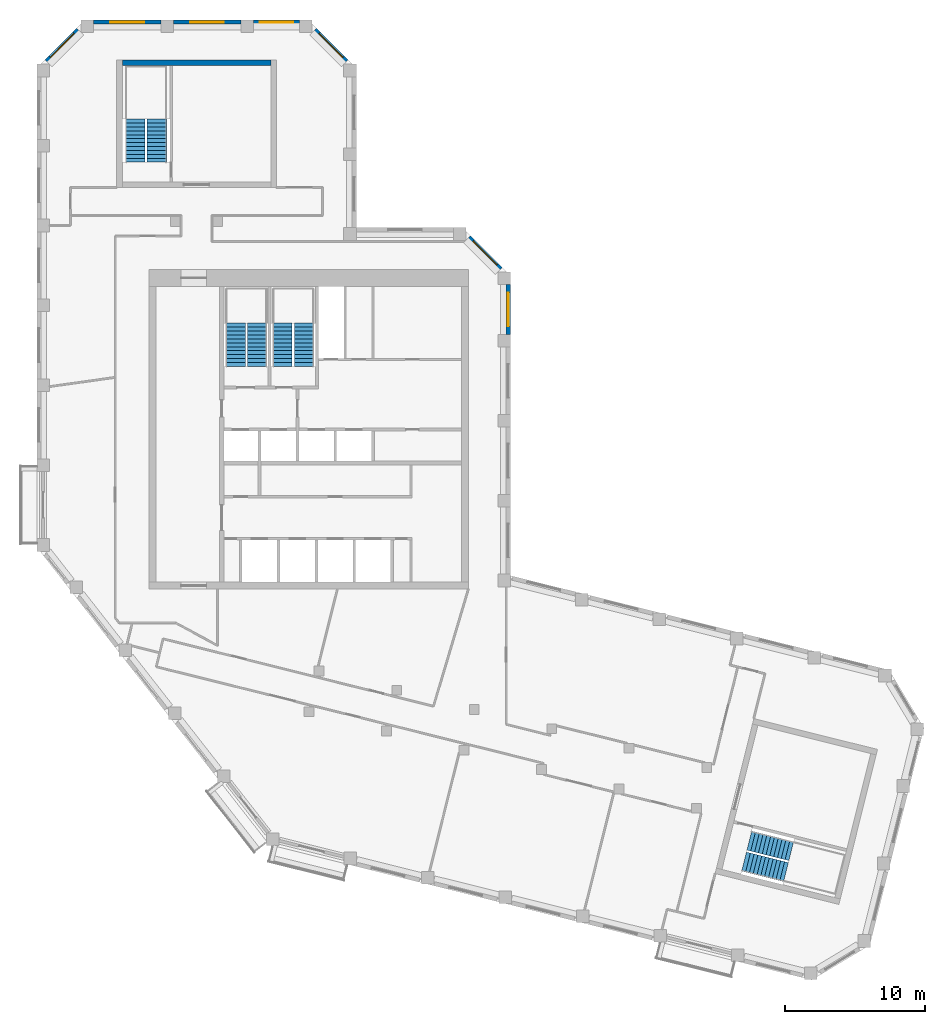
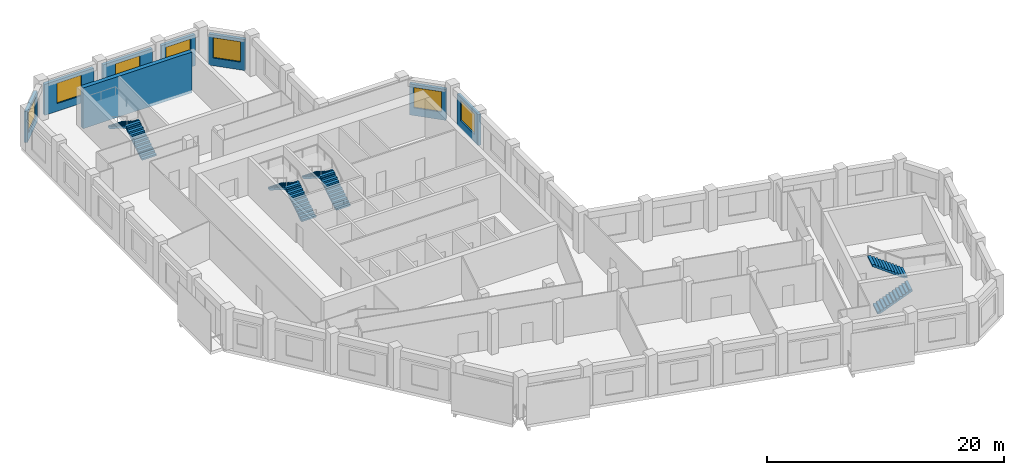
# One storey, part 7 of 8: 8 stair flights, 8 walls, 7 windows, 7 openings, 4 elements without a shape of their own.
"""IFC4 building model written with IfcOpenShell, lengths in metres."""

from ifc_helpers import new_model, si_unit, direction, frame, frame_2d, origin, place, context, subcontext, project, spatial, polyline, rectangle, outline, extrude, material, layer, layer_set, type_object, element, fill, aggregate, save


model = new_model("IFC4")

# Units and contexts
model_context = context("Model", 3, precision=1e-05, world=origin(), true_north=direction((0.0, 1.0)))
body_context = subcontext(model_context, "Body", "Model", "MODEL_VIEW")
ifc_project = project(units=[si_unit("LENGTHUNIT", "METRE"), si_unit("AREAUNIT", "SQUARE_METRE"), si_unit("VOLUMEUNIT", "CUBIC_METRE"), si_unit("PLANEANGLEUNIT", "RADIAN"), si_unit("MASSUNIT", "GRAM", prefix="KILO")], contexts=[model_context])

# Site, building, storey
site_placement = place(None, origin())
site = spatial("IfcSite", under=ifc_project, at=site_placement, CompositionType="ELEMENT")
building_placement = place(site_placement, origin())
building = spatial("IfcBuilding", under=site, at=building_placement, Name="Meshkara Civic Tower", CompositionType="ELEMENT")
storey_placement = place(building_placement, frame((0.0, 0.0, 362.39990234375)))
storey = spatial("IfcBuildingStorey", under=building, at=storey_placement, Name="L83", CompositionType="ELEMENT", Elevation=362.39990234375)

# Wall, opening, window
ifc_material_1 = material(Name="Insulated infill panel with bronze anodised aluminium cladding", Category="aluminium")
ifc_layer_1 = layer(ifc_material_1, 0.300048828125)
ifc_layer_set_1 = layer_set([ifc_layer_1], Name="EXTERNAL INFILL WALL 300")
wall_type_1 = type_object("IfcWallType", Name="EXTERNAL INFILL WALL 300", PredefinedType="SOLIDWALL", material=ifc_layer_set_1)
wall_1_placement = place(storey_placement, frame((33.64990234375, 32.26904296875, 0.0), z_axis=(0.0, 0.0, 1.0), x_axis=(0.0, 1.0, 0.0)))
wall_1 = element("IfcWall", 1, at=wall_1_placement, inside=storey, type_object=wall_type_1, Name="External wall", PredefinedType="SOLIDWALL", context=body_context, shape_type="SweptSolid", body=[
    extrude(rectangle(XDim=3.574951171875, YDim=0.300048828125, at=frame_2d((1.78759765625, 0.0))), origin(), (0.0, 0.0, 1.0), 3.2001953125),
])
opening_1_placement = place(wall_1_placement, frame((0.587890625, 0.0, 0.800048828125)))
opening_1 = element("IfcOpeningElement", 2, at=opening_1_placement, cuts=wall_1, Name="Opening W7", PredefinedType="OPENING", context=body_context, shape_type="SweptSolid", body=[
    extrude(rectangle(XDim=2.39990234375, YDim=2.10009765625, at=frame_2d((1.199951171875, 1.050048828125))), frame((0.0, 0.159912109375, 0.0), z_axis=(0.0, -1.0, 0.0), x_axis=(1.0, 0.0, 0.0)), (0.0, 0.0, 1.0), 0.320068359375),
])
ifc_material_2 = material(Name="Tinted double glazing", Category="glass")
window_type = type_object("IfcWindowType", Name="WINDOW 2400x2100", PartitioningType="DOUBLE_PANEL_VERTICAL", PredefinedType="WINDOW", material=ifc_material_2)
window_1_placement = place(opening_1_placement, origin())
window_1 = element("IfcWindow", 3, at=window_1_placement, inside=storey, type_object=window_type, Name="Window", OverallHeight=2.10009765625, OverallWidth=2.39990234375, PartitioningType="DOUBLE_PANEL_VERTICAL", PredefinedType="WINDOW", context=body_context, shape_type="SweptSolid", body=[
    extrude(rectangle(XDim=2.39990234375, YDim=2.10009765625, at=frame_2d((1.199951171875, 1.050048828125))), frame((0.0, 0.030029296875, 0.0), z_axis=(0.0, -1.0, 0.0), x_axis=(1.0, 0.0, 0.0)), (0.0, 0.0, 1.0), 0.06005859375),
])
fill(opening_1, window_1)

wall_2_placement = place(storey_placement, frame((33.112060546875, 36.9560546875, 0.0), z_axis=(0.0, 0.0, 1.0), x_axis=(-0.707145041435, 0.707068518868, 0.0)))
wall_2 = element("IfcWall", 4, at=wall_2_placement, inside=storey, type_object=wall_type_1, Name="External wall", PredefinedType="SOLIDWALL", context=body_context, shape_type="SweptSolid", body=[
    extrude(rectangle(XDim=3.1904296875, YDim=0.300048828125, at=frame_2d((1.59521484375, 0.0))), origin(), (0.0, 0.0, 1.0), 3.2001953125),
])
opening_2_placement = place(wall_2_placement, frame((0.39501953125, 0.0, 0.800048828125)))
opening_2 = element("IfcOpeningElement", 5, at=opening_2_placement, cuts=wall_2, Name="Opening W7", PredefinedType="OPENING", context=body_context, shape_type="SweptSolid", body=[
    extrude(rectangle(XDim=2.39990234375, YDim=2.10009765625, at=frame_2d((1.199951171875, 1.050048828125))), frame((0.0, 0.159912109375, 0.0), z_axis=(0.0, -1.0, 0.0), x_axis=(1.0, 0.0, 0.0)), (0.0, 0.0, 1.0), 0.320068359375),
])
window_2_placement = place(opening_2_placement, origin())
window_2 = element("IfcWindow", 6, at=window_2_placement, inside=storey, type_object=window_type, Name="Window", OverallHeight=2.10009765625, OverallWidth=2.39990234375, PartitioningType="DOUBLE_PANEL_VERTICAL", PredefinedType="WINDOW", context=body_context, shape_type="SweptSolid", body=[
    extrude(rectangle(XDim=2.39990234375, YDim=2.10009765625, at=frame_2d((1.199951171875, 1.050048828125))), frame((0.0, 0.030029296875, 0.0), z_axis=(0.0, -1.0, 0.0), x_axis=(1.0, 0.0, 0.0)), (0.0, 0.0, 1.0), 0.06005859375),
])
fill(opening_2, window_2)

wall_3_placement = place(storey_placement, frame((22.112060546875, 51.77587890625, 0.0), z_axis=(0.0, 0.0, 1.0), x_axis=(-0.707106781187, 0.707106781187, 0.0)))
wall_3 = element("IfcWall", 7, at=wall_3_placement, inside=storey, type_object=wall_type_1, Name="External wall", PredefinedType="SOLIDWALL", context=body_context, shape_type="SweptSolid", body=[
    extrude(rectangle(XDim=3.190673828125, YDim=0.300048828125, at=frame_2d((1.59521484375, 0.0))), origin(), (0.0, 0.0, 1.0), 3.2001953125),
])
opening_3_placement = place(wall_3_placement, frame((0.39501953125, 0.0, 0.800048828125)))
opening_3 = element("IfcOpeningElement", 8, at=opening_3_placement, cuts=wall_3, Name="Opening W7", PredefinedType="OPENING", context=body_context, shape_type="SweptSolid", body=[
    extrude(rectangle(XDim=2.39990234375, YDim=2.10009765625, at=frame_2d((1.199951171875, 1.050048828125))), frame((0.0, 0.159912109375, 0.0), z_axis=(0.0, -1.0, 0.0), x_axis=(1.0, 0.0, 0.0)), (0.0, 0.0, 1.0), 0.320068359375),
])
window_3_placement = place(opening_3_placement, origin())
window_3 = element("IfcWindow", 9, at=window_3_placement, inside=storey, type_object=window_type, Name="Window", OverallHeight=2.10009765625, OverallWidth=2.39990234375, PartitioningType="DOUBLE_PANEL_VERTICAL", PredefinedType="WINDOW", context=body_context, shape_type="SweptSolid", body=[
    extrude(rectangle(XDim=2.39990234375, YDim=2.10009765625, at=frame_2d((1.199951171875, 1.050048828125))), frame((0.0, 0.030029296875, 0.0), z_axis=(0.0, -1.0, 0.0), x_axis=(1.0, 0.0, 0.0)), (0.0, 0.0, 1.0), 0.06005859375),
])
fill(opening_3, window_3)

wall_4_placement = place(storey_placement, frame((18.743896484375, 54.570068359375, 0.0), z_axis=(0.0, 0.0, 1.0), x_axis=(-1.0, 0.0, 0.0)))
wall_4 = element("IfcWall", 10, at=wall_4_placement, inside=storey, type_object=wall_type_1, Name="External wall", PredefinedType="SOLIDWALL", context=body_context, shape_type="SweptSolid", body=[
    extrude(rectangle(XDim=3.287841796875, YDim=0.300048828125, at=frame_2d((1.64404296875, 0.0))), origin(), (0.0, 0.0, 1.0), 3.2001953125),
])
opening_4_placement = place(wall_4_placement, frame((0.444091796875, 0.0, 0.800048828125)))
opening_4 = element("IfcOpeningElement", 11, at=opening_4_placement, cuts=wall_4, Name="Opening W7", PredefinedType="OPENING", context=body_context, shape_type="SweptSolid", body=[
    extrude(rectangle(XDim=2.39990234375, YDim=2.10009765625, at=frame_2d((1.199951171875, 1.050048828125))), frame((0.0, 0.159912109375, 0.0), z_axis=(0.0, -1.0, 0.0), x_axis=(1.0, 0.0, 0.0)), (0.0, 0.0, 1.0), 0.320068359375),
])
window_4_placement = place(opening_4_placement, origin())
window_4 = element("IfcWindow", 12, at=window_4_placement, inside=storey, type_object=window_type, Name="Window", OverallHeight=2.10009765625, OverallWidth=2.39990234375, PartitioningType="DOUBLE_PANEL_VERTICAL", PredefinedType="WINDOW", context=body_context, shape_type="SweptSolid", body=[
    extrude(rectangle(XDim=2.39990234375, YDim=2.10009765625, at=frame_2d((1.199951171875, 1.050048828125))), frame((0.0, 0.030029296875, 0.0), z_axis=(0.0, -1.0, 0.0), x_axis=(1.0, 0.0, 0.0)), (0.0, 0.0, 1.0), 0.06005859375),
])
fill(opening_4, window_4)

wall_5_placement = place(storey_placement, frame((14.555908203125, 54.570068359375, 0.0), z_axis=(0.0, 0.0, 1.0), x_axis=(-1.0, 0.0, 0.0)))
wall_5 = element("IfcWall", 13, at=wall_5_placement, inside=storey, type_object=wall_type_1, Name="External wall", PredefinedType="SOLIDWALL", context=body_context, shape_type="SweptSolid", body=[
    extrude(rectangle(XDim=4.7998046875, YDim=0.300048828125, at=frame_2d((2.39990234375, 0.0))), origin(), (0.0, 0.0, 1.0), 3.2001953125),
])
opening_5_placement = place(wall_5_placement, frame((1.199951171875, 0.0, 0.800048828125)))
opening_5 = element("IfcOpeningElement", 14, at=opening_5_placement, cuts=wall_5, Name="Opening W7", PredefinedType="OPENING", context=body_context, shape_type="SweptSolid", body=[
    extrude(rectangle(XDim=2.39990234375, YDim=2.10009765625, at=frame_2d((1.199951171875, 1.050048828125))), frame((0.0, 0.159912109375, 0.0), z_axis=(0.0, -1.0, 0.0), x_axis=(1.0, 0.0, 0.0)), (0.0, 0.0, 1.0), 0.320068359375),
])
window_5_placement = place(opening_5_placement, origin())
window_5 = element("IfcWindow", 15, at=window_5_placement, inside=storey, type_object=window_type, Name="Window", OverallHeight=2.10009765625, OverallWidth=2.39990234375, PartitioningType="DOUBLE_PANEL_VERTICAL", PredefinedType="WINDOW", context=body_context, shape_type="SweptSolid", body=[
    extrude(rectangle(XDim=2.39990234375, YDim=2.10009765625, at=frame_2d((1.199951171875, 1.050048828125))), frame((0.0, 0.030029296875, 0.0), z_axis=(0.0, -1.0, 0.0), x_axis=(1.0, 0.0, 0.0)), (0.0, 0.0, 1.0), 0.06005859375),
])
fill(opening_5, window_5)

wall_6_placement = place(storey_placement, frame((8.85595703125, 54.570068359375, 0.0), z_axis=(0.0, 0.0, 1.0), x_axis=(-1.0, 0.0, 0.0)))
wall_6 = element("IfcWall", 16, at=wall_6_placement, inside=storey, type_object=wall_type_1, Name="External wall", PredefinedType="SOLIDWALL", context=body_context, shape_type="SweptSolid", body=[
    extrude(rectangle(XDim=4.800048828125, YDim=0.300048828125, at=frame_2d((2.39990234375, 0.0))), origin(), (0.0, 0.0, 1.0), 3.2001953125),
])
opening_6_placement = place(wall_6_placement, frame((1.199951171875, 0.0, 0.800048828125)))
opening_6 = element("IfcOpeningElement", 17, at=opening_6_placement, cuts=wall_6, Name="Opening W7", PredefinedType="OPENING", context=body_context, shape_type="SweptSolid", body=[
    extrude(rectangle(XDim=2.39990234375, YDim=2.10009765625, at=frame_2d((1.199951171875, 1.050048828125))), frame((0.0, 0.159912109375, 0.0), z_axis=(0.0, -1.0, 0.0), x_axis=(1.0, 0.0, 0.0)), (0.0, 0.0, 1.0), 0.320068359375),
])
window_6_placement = place(opening_6_placement, origin())
window_6 = element("IfcWindow", 18, at=window_6_placement, inside=storey, type_object=window_type, Name="Window", OverallHeight=2.10009765625, OverallWidth=2.39990234375, PartitioningType="DOUBLE_PANEL_VERTICAL", PredefinedType="WINDOW", context=body_context, shape_type="SweptSolid", body=[
    extrude(rectangle(XDim=2.39990234375, YDim=2.10009765625, at=frame_2d((1.199951171875, 1.050048828125))), frame((0.0, 0.030029296875, 0.0), z_axis=(0.0, -1.0, 0.0), x_axis=(1.0, 0.0, 0.0)), (0.0, 0.0, 1.0), 0.06005859375),
])
fill(opening_6, window_6)

wall_7_placement = place(storey_placement, frame((2.944091796875, 54.031982421875, 0.0), z_axis=(0.0, 0.0, 1.0), x_axis=(-0.707106781187, -0.707106781187, 0.0)))
wall_7 = element("IfcWall", 19, at=wall_7_placement, inside=storey, type_object=wall_type_1, Name="External wall", PredefinedType="SOLIDWALL", context=body_context, shape_type="SweptSolid", body=[
    extrude(rectangle(XDim=3.190673828125, YDim=0.300048828125, at=frame_2d((1.59521484375, 0.0))), origin(), (0.0, 0.0, 1.0), 3.2001953125),
])
opening_7_placement = place(wall_7_placement, frame((0.39501953125, 0.0, 0.800048828125)))
opening_7 = element("IfcOpeningElement", 20, at=opening_7_placement, cuts=wall_7, Name="Opening W7", PredefinedType="OPENING", context=body_context, shape_type="SweptSolid", body=[
    extrude(rectangle(XDim=2.39990234375, YDim=2.10009765625, at=frame_2d((1.199951171875, 1.050048828125))), frame((0.0, 0.159912109375, 0.0), z_axis=(0.0, -1.0, 0.0), x_axis=(1.0, 0.0, 0.0)), (0.0, 0.0, 1.0), 0.320068359375),
])
window_7_placement = place(opening_7_placement, origin())
window_7 = element("IfcWindow", 21, at=window_7_placement, inside=storey, type_object=window_type, Name="Window", OverallHeight=2.10009765625, OverallWidth=2.39990234375, PartitioningType="DOUBLE_PANEL_VERTICAL", PredefinedType="WINDOW", context=body_context, shape_type="SweptSolid", body=[
    extrude(rectangle(XDim=2.39990234375, YDim=2.10009765625, at=frame_2d((1.199951171875, 1.050048828125))), frame((0.0, 0.030029296875, 0.0), z_axis=(0.0, -1.0, 0.0), x_axis=(1.0, 0.0, 0.0)), (0.0, 0.0, 1.0), 0.06005859375),
])
fill(opening_7, window_7)

# Wall
ifc_material_3 = material(Name="Concrete C50", Category="concrete")
ifc_layer_2 = layer(ifc_material_3, 0.39990234375)
ifc_layer_set_2 = layer_set([ifc_layer_2], Name="End core ring wall 400 C50")
wall_type_2 = type_object("IfcWallType", Name="End core ring wall 400 C50", PredefinedType="SHEAR", material=ifc_layer_set_2)
wall_8_placement = place(storey_placement, frame((6.10009765625, 51.669921875, -0.2998046875), z_axis=(0.0, 0.0, 1.0), x_axis=(1.0, 0.0, 0.0)))
element("IfcWall", 22, at=wall_8_placement, inside=storey, type_object=wall_type_2, Name="L83-C030", PredefinedType="SHEAR", context=body_context, shape_type="SweptSolid", body=[
    extrude(rectangle(XDim=10.599853515625, YDim=0.39990234375, at=frame_2d((5.2998046875, 0.0))), origin(), (0.0, 0.0, 1.0), 4.199951171875),
])

# Stair, stair flights
ifc_material_4 = material(Name="Precast concrete C40/50", Category="concrete")
stair_type = type_object("IfcStairType", Name="Exit stair half-turn 24 risers precast", PredefinedType="HALF_TURN_STAIR", material=ifc_material_4)
stair_1_placement = place(storey_placement, origin())
stair_1 = element("IfcStair", 23, at=stair_1_placement, inside=storey, type_object=stair_type, Name="L83 exit stair 1", PredefinedType="HALF_TURN_STAIR")
ifc_material_5 = material(Name="Precast concrete C40/50", Category="concrete")
stair_flight_type = type_object("IfcStairFlightType", Name="Exit stair flight 12 risers precast", PredefinedType="STRAIGHT", material=ifc_material_5)
stair_flight_1_placement = place(storey_placement, frame((15.72509765625, 30.0, 0.0), z_axis=(0.0, 0.0, 1.0), x_axis=(0.0, 1.0, 0.0)))
stair_flight_1 = element("IfcStairFlight", 24, at=stair_flight_1_placement, type_object=stair_flight_type, Name="ST1 flight 1", NumberOfRisers=12, NumberOfTreads=11, PredefinedType="STRAIGHT", RiserHeight=0.175, TreadLength=0.28, context=body_context, shape_type="SweptSolid", body=[
    extrude(outline(polyline([(0.0, 0.0), (0.0, 0.175048828125), (0.280029296875, 0.175048828125), (0.280029296875, 0.35009765625), (0.56005859375, 0.35009765625), (0.56005859375, 0.52490234375), (0.840087890625, 0.52490234375), (0.840087890625, 0.699951171875), (1.1201171875, 0.699951171875), (1.1201171875, 0.875), (1.39990234375, 0.875), (1.39990234375, 1.050048828125), (1.679931640625, 1.050048828125), (1.679931640625, 1.22509765625), (1.9599609375, 1.22509765625), (1.9599609375, 1.39990234375), (2.239990234375, 1.39990234375), (2.239990234375, 1.574951171875), (2.52001953125, 1.574951171875), (2.52001953125, 1.75), (2.800048828125, 1.75), (2.800048828125, 1.925048828125), (3.080078125, 1.925048828125), (3.080078125, 2.10009765625), (3.080078125, 1.748291015625), (0.28271484375, 0.0), (0.0, 0.0)])), frame((0.0, 0.699951171875, 0.0), z_axis=(0.0, -1.0, 0.0), x_axis=(1.0, 0.0, 0.0)), (0.0, 0.0, 1.0), 1.39990234375),
])
stair_flight_2_placement = place(storey_placement, frame((14.175048828125, 33.080078125, 2.10009765625), z_axis=(0.0, 0.0, 1.0), x_axis=(0.0, -1.0, 0.0)))
stair_flight_2 = element("IfcStairFlight", 25, at=stair_flight_2_placement, type_object=stair_flight_type, Name="ST1 flight 2", NumberOfRisers=12, NumberOfTreads=11, PredefinedType="STRAIGHT", RiserHeight=0.175, TreadLength=0.28, context=body_context, shape_type="SweptSolid", body=[
    extrude(outline(polyline([(0.0, 0.0), (0.0, 0.175048828125), (0.280029296875, 0.175048828125), (0.280029296875, 0.35009765625), (0.56005859375, 0.35009765625), (0.56005859375, 0.52490234375), (0.840087890625, 0.52490234375), (0.840087890625, 0.699951171875), (1.1201171875, 0.699951171875), (1.1201171875, 0.875), (1.39990234375, 0.875), (1.39990234375, 1.050048828125), (1.679931640625, 1.050048828125), (1.679931640625, 1.22509765625), (1.9599609375, 1.22509765625), (1.9599609375, 1.39990234375), (2.239990234375, 1.39990234375), (2.239990234375, 1.574951171875), (2.52001953125, 1.574951171875), (2.52001953125, 1.75), (2.800048828125, 1.75), (2.800048828125, 1.925048828125), (3.080078125, 1.925048828125), (3.080078125, 2.10009765625), (3.080078125, 1.748291015625), (0.28271484375, 0.0), (0.0, 0.0)])), frame((0.0, 0.699951171875, 0.0), z_axis=(0.0, -1.0, 0.0), x_axis=(1.0, 0.0, 0.0)), (0.0, 0.0, 1.0), 1.39990234375),
])
aggregate(stair_1, [stair_flight_1, stair_flight_2])

stair_2_placement = place(storey_placement, origin())
stair_2 = element("IfcStair", 26, at=stair_2_placement, inside=storey, type_object=stair_type, Name="L83 exit stair 2", PredefinedType="HALF_TURN_STAIR")
stair_flight_3_placement = place(storey_placement, frame((19.074951171875, 30.0, 0.0), z_axis=(0.0, 0.0, 1.0), x_axis=(0.0, 1.0, 0.0)))
stair_flight_3 = element("IfcStairFlight", 27, at=stair_flight_3_placement, type_object=stair_flight_type, Name="ST2 flight 1", NumberOfRisers=12, NumberOfTreads=11, PredefinedType="STRAIGHT", RiserHeight=0.175, TreadLength=0.28, context=body_context, shape_type="SweptSolid", body=[
    extrude(outline(polyline([(0.0, 0.0), (0.0, 0.175048828125), (0.280029296875, 0.175048828125), (0.280029296875, 0.35009765625), (0.56005859375, 0.35009765625), (0.56005859375, 0.52490234375), (0.840087890625, 0.52490234375), (0.840087890625, 0.699951171875), (1.1201171875, 0.699951171875), (1.1201171875, 0.875), (1.39990234375, 0.875), (1.39990234375, 1.050048828125), (1.679931640625, 1.050048828125), (1.679931640625, 1.22509765625), (1.9599609375, 1.22509765625), (1.9599609375, 1.39990234375), (2.239990234375, 1.39990234375), (2.239990234375, 1.574951171875), (2.52001953125, 1.574951171875), (2.52001953125, 1.75), (2.800048828125, 1.75), (2.800048828125, 1.925048828125), (3.080078125, 1.925048828125), (3.080078125, 2.10009765625), (3.080078125, 1.748291015625), (0.28271484375, 0.0), (0.0, 0.0)])), frame((0.0, 0.699951171875, 0.0), z_axis=(0.0, -1.0, 0.0), x_axis=(1.0, 0.0, 0.0)), (0.0, 0.0, 1.0), 1.39990234375),
])
stair_flight_4_placement = place(storey_placement, frame((17.52490234375, 33.080078125, 2.10009765625), z_axis=(0.0, 0.0, 1.0), x_axis=(0.0, -1.0, 0.0)))
stair_flight_4 = element("IfcStairFlight", 28, at=stair_flight_4_placement, type_object=stair_flight_type, Name="ST2 flight 2", NumberOfRisers=12, NumberOfTreads=11, PredefinedType="STRAIGHT", RiserHeight=0.175, TreadLength=0.28, context=body_context, shape_type="SweptSolid", body=[
    extrude(outline(polyline([(0.0, 0.0), (0.0, 0.175048828125), (0.280029296875, 0.175048828125), (0.280029296875, 0.35009765625), (0.56005859375, 0.35009765625), (0.56005859375, 0.52490234375), (0.840087890625, 0.52490234375), (0.840087890625, 0.699951171875), (1.1201171875, 0.699951171875), (1.1201171875, 0.875), (1.39990234375, 0.875), (1.39990234375, 1.050048828125), (1.679931640625, 1.050048828125), (1.679931640625, 1.22509765625), (1.9599609375, 1.22509765625), (1.9599609375, 1.39990234375), (2.239990234375, 1.39990234375), (2.239990234375, 1.574951171875), (2.52001953125, 1.574951171875), (2.52001953125, 1.75), (2.800048828125, 1.75), (2.800048828125, 1.925048828125), (3.080078125, 1.925048828125), (3.080078125, 2.10009765625), (3.080078125, 1.748291015625), (0.28271484375, 0.0), (0.0, 0.0)])), frame((0.0, 0.699951171875, 0.0), z_axis=(0.0, -1.0, 0.0), x_axis=(1.0, 0.0, 0.0)), (0.0, 0.0, 1.0), 1.39990234375),
])
aggregate(stair_2, [stair_flight_3, stair_flight_4])

stair_3_placement = place(storey_placement, origin())
stair_3 = element("IfcStair", 29, at=stair_3_placement, inside=storey, type_object=stair_type, Name="L83 exit stair A from L80", PredefinedType="HALF_TURN_STAIR")
stair_flight_5_placement = place(storey_placement, frame((8.574951171875, 44.570068359375, 0.0), z_axis=(0.0, 0.0, 1.0), x_axis=(0.0, 1.0, 0.0)))
stair_flight_5 = element("IfcStairFlight", 30, at=stair_flight_5_placement, type_object=stair_flight_type, Name="ESA6 flight 1", NumberOfRisers=12, NumberOfTreads=11, PredefinedType="STRAIGHT", RiserHeight=0.175, TreadLength=0.28, context=body_context, shape_type="SweptSolid", body=[
    extrude(outline(polyline([(0.0, 0.0), (0.0, 0.175048828125), (0.280029296875, 0.175048828125), (0.280029296875, 0.35009765625), (0.56005859375, 0.35009765625), (0.56005859375, 0.52490234375), (0.840087890625, 0.52490234375), (0.840087890625, 0.699951171875), (1.1201171875, 0.699951171875), (1.1201171875, 0.875), (1.39990234375, 0.875), (1.39990234375, 1.050048828125), (1.679931640625, 1.050048828125), (1.679931640625, 1.22509765625), (1.9599609375, 1.22509765625), (1.9599609375, 1.39990234375), (2.239990234375, 1.39990234375), (2.239990234375, 1.574951171875), (2.52001953125, 1.574951171875), (2.52001953125, 1.75), (2.800048828125, 1.75), (2.800048828125, 1.925048828125), (3.080078125, 1.925048828125), (3.080078125, 2.10009765625), (3.080078125, 1.748291015625), (0.28271484375, 0.0), (0.0, 0.0)])), frame((0.0, 0.699951171875, 0.0), z_axis=(0.0, -1.0, 0.0), x_axis=(1.0, 0.0, 0.0)), (0.0, 0.0, 1.0), 1.39990234375),
])
stair_flight_6_placement = place(storey_placement, frame((7.02490234375, 47.64990234375, 2.10009765625), z_axis=(0.0, 0.0, 1.0), x_axis=(0.0, -1.0, 0.0)))
stair_flight_6 = element("IfcStairFlight", 31, at=stair_flight_6_placement, type_object=stair_flight_type, Name="ESA6 flight 2", NumberOfRisers=12, NumberOfTreads=11, PredefinedType="STRAIGHT", RiserHeight=0.175, TreadLength=0.28, context=body_context, shape_type="SweptSolid", body=[
    extrude(outline(polyline([(0.0, 0.0), (0.0, 0.175048828125), (0.280029296875, 0.175048828125), (0.280029296875, 0.35009765625), (0.56005859375, 0.35009765625), (0.56005859375, 0.52490234375), (0.840087890625, 0.52490234375), (0.840087890625, 0.699951171875), (1.1201171875, 0.699951171875), (1.1201171875, 0.875), (1.39990234375, 0.875), (1.39990234375, 1.050048828125), (1.679931640625, 1.050048828125), (1.679931640625, 1.22509765625), (1.9599609375, 1.22509765625), (1.9599609375, 1.39990234375), (2.239990234375, 1.39990234375), (2.239990234375, 1.574951171875), (2.52001953125, 1.574951171875), (2.52001953125, 1.75), (2.800048828125, 1.75), (2.800048828125, 1.925048828125), (3.080078125, 1.925048828125), (3.080078125, 2.10009765625), (3.080078125, 1.748291015625), (0.28271484375, 0.0), (0.0, 0.0)])), frame((0.0, 0.699951171875, 0.0), z_axis=(0.0, -1.0, 0.0), x_axis=(1.0, 0.0, 0.0)), (0.0, 0.0, 1.0), 1.39990234375),
])
aggregate(stair_3, [stair_flight_5, stair_flight_6])

stair_4_placement = place(storey_placement, origin())
stair_4 = element("IfcStair", 32, at=stair_4_placement, inside=storey, type_object=stair_type, Name="L83 exit stair B from L80", PredefinedType="HALF_TURN_STAIR")
stair_flight_7_placement = place(storey_placement, frame((50.47607421875, -5.344482421875, 0.0), z_axis=(0.0, 0.0, 1.0), x_axis=(0.9703185901, -0.241830175344, 0.0)))
stair_flight_7 = element("IfcStairFlight", 33, at=stair_flight_7_placement, type_object=stair_flight_type, Name="ESB6 flight 1", NumberOfRisers=12, NumberOfTreads=11, PredefinedType="STRAIGHT", RiserHeight=0.175, TreadLength=0.28, context=body_context, shape_type="SweptSolid", body=[
    extrude(outline(polyline([(0.0, 0.0), (0.0, 0.175048828125), (0.280029296875, 0.175048828125), (0.280029296875, 0.35009765625), (0.56005859375, 0.35009765625), (0.56005859375, 0.52490234375), (0.840087890625, 0.52490234375), (0.840087890625, 0.699951171875), (1.1201171875, 0.699951171875), (1.1201171875, 0.875), (1.39990234375, 0.875), (1.39990234375, 1.050048828125), (1.679931640625, 1.050048828125), (1.679931640625, 1.22509765625), (1.9599609375, 1.22509765625), (1.9599609375, 1.39990234375), (2.239990234375, 1.39990234375), (2.239990234375, 1.574951171875), (2.52001953125, 1.574951171875), (2.52001953125, 1.75), (2.800048828125, 1.75), (2.800048828125, 1.925048828125), (3.080078125, 1.925048828125), (3.080078125, 2.10009765625), (3.080078125, 1.748291015625), (0.28271484375, 0.0), (0.0, 0.0)])), frame((0.0, 0.699951171875, 0.0), z_axis=(0.0, -1.0, 0.0), x_axis=(1.0, 0.0, 0.0)), (0.0, 0.0, 1.0), 1.39990234375),
])
stair_flight_8_placement = place(storey_placement, frame((53.83935546875, -4.58544921875, 2.10009765625), z_axis=(0.0, 0.0, 1.0), x_axis=(-0.9703185901, 0.241830175344, 0.0)))
stair_flight_8 = element("IfcStairFlight", 34, at=stair_flight_8_placement, type_object=stair_flight_type, Name="ESB6 flight 2", NumberOfRisers=12, NumberOfTreads=11, PredefinedType="STRAIGHT", RiserHeight=0.175, TreadLength=0.28, context=body_context, shape_type="SweptSolid", body=[
    extrude(outline(polyline([(0.0, 0.0), (0.0, 0.175048828125), (0.280029296875, 0.175048828125), (0.280029296875, 0.35009765625), (0.56005859375, 0.35009765625), (0.56005859375, 0.52490234375), (0.840087890625, 0.52490234375), (0.840087890625, 0.699951171875), (1.1201171875, 0.699951171875), (1.1201171875, 0.875), (1.39990234375, 0.875), (1.39990234375, 1.050048828125), (1.679931640625, 1.050048828125), (1.679931640625, 1.22509765625), (1.9599609375, 1.22509765625), (1.9599609375, 1.39990234375), (2.239990234375, 1.39990234375), (2.239990234375, 1.574951171875), (2.52001953125, 1.574951171875), (2.52001953125, 1.75), (2.800048828125, 1.75), (2.800048828125, 1.925048828125), (3.080078125, 1.925048828125), (3.080078125, 2.10009765625), (3.080078125, 1.748291015625), (0.28271484375, 0.0), (0.0, 0.0)])), frame((0.0, 0.699951171875, 0.0), z_axis=(0.0, -1.0, 0.0), x_axis=(1.0, 0.0, 0.0)), (0.0, 0.0, 1.0), 1.39990234375),
])
aggregate(stair_4, [stair_flight_7, stair_flight_8])

save(model, "model.ifc")
